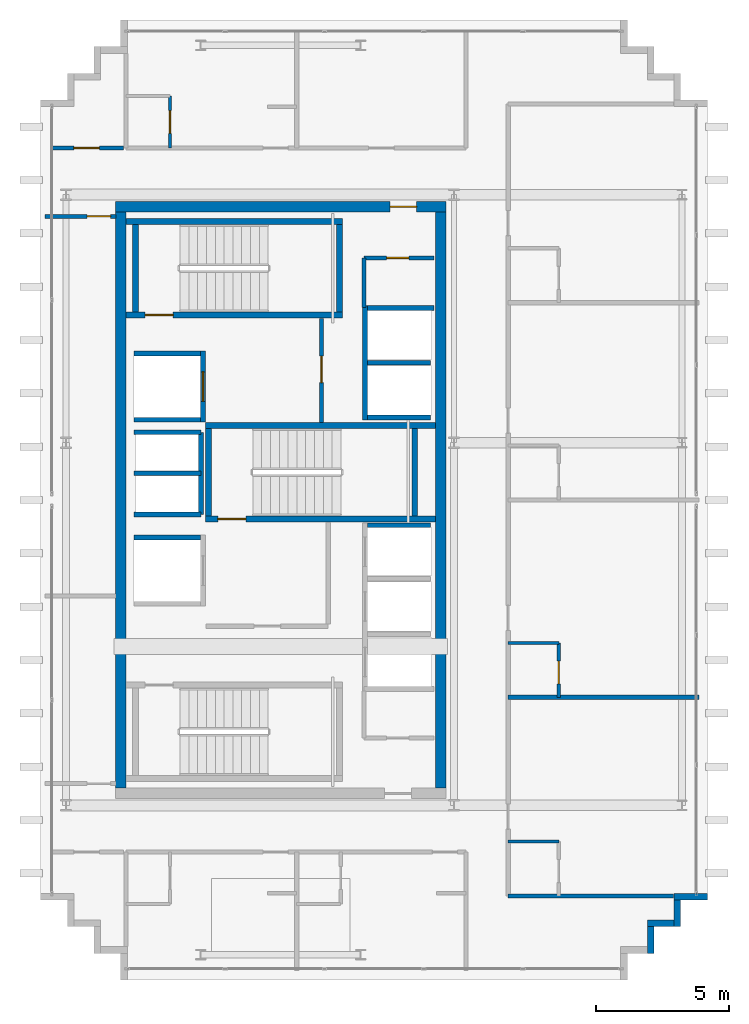
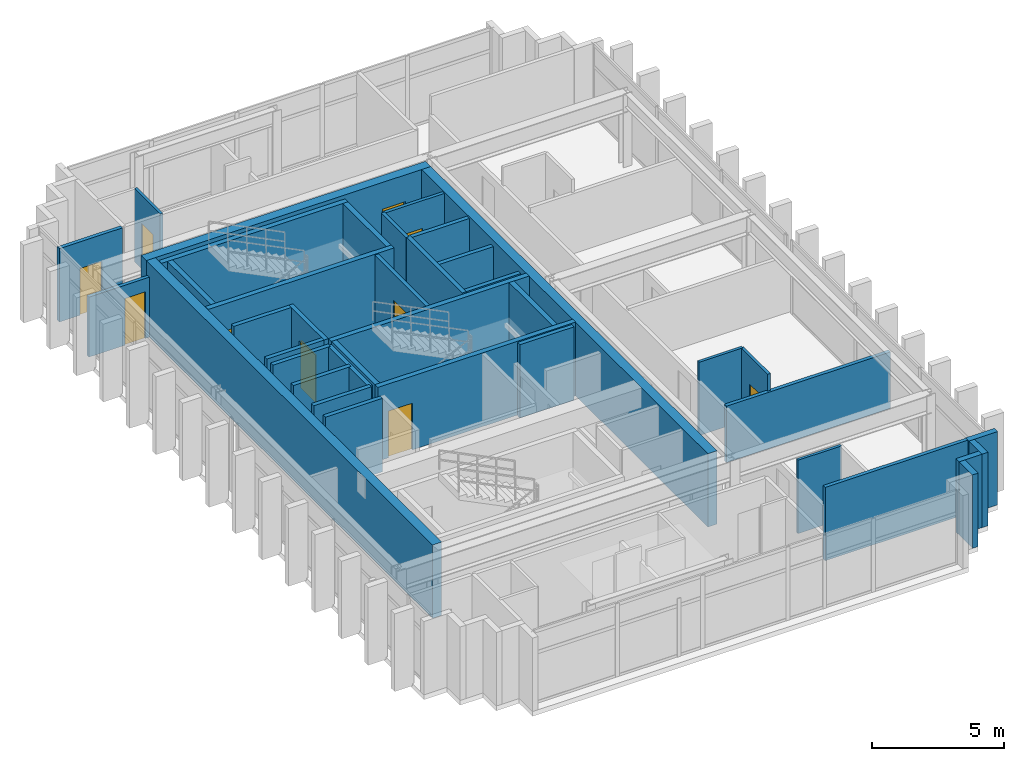
# One storey, part 13 of 15: 39 walls, 10 doors, 10 openings.
"""IFC4 building model written with IfcOpenShell, lengths in metres."""

from ifc_helpers import new_model, si_unit, direction, frame, frame_2d, origin, place, context, subcontext, project, spatial, rectangle, extrude, source, transform, mapped, material, layer, layer_set, type_object, element, fill, save


model = new_model("IFC4")

# Units and contexts
model_context = context("Model", 3, precision=1e-05, world=origin(), true_north=direction((0.0, 1.0)))
body_context = subcontext(model_context, "Body", "Model", "MODEL_VIEW")
ifc_project = project(units=[si_unit("LENGTHUNIT", "METRE"), si_unit("AREAUNIT", "SQUARE_METRE"), si_unit("VOLUMEUNIT", "CUBIC_METRE"), si_unit("PLANEANGLEUNIT", "RADIAN"), si_unit("MASSUNIT", "GRAM", prefix="KILO")], contexts=[model_context])

# Site, building, storey
site_placement = place(None, origin())
site = spatial("IfcSite", under=ifc_project, at=site_placement, CompositionType="ELEMENT")
building_placement = place(site_placement, origin())
building = spatial("IfcBuilding", under=site, at=building_placement, Name="Ocotamira Hotel", CompositionType="ELEMENT")
storey_placement = place(building_placement, frame((0.0, 0.0, 290.39990234375)))
storey = spatial("IfcBuildingStorey", under=building, at=storey_placement, Name="L74", CompositionType="ELEMENT", Elevation=290.39990234375)

# Wall, opening, door
ifc_material_1 = material(Name="Concrete C50/60", Category="concrete")
ifc_layer_1 = layer(ifc_material_1, 0.39990234375)
ifc_layer_set_1 = layer_set([ifc_layer_1], Name="Concrete C50/60")
wall_type_1 = type_object("IfcWallType", Name="WL-CORE-400", PredefinedType="SHEAR", material=ifc_layer_set_1)
wall_1_placement = place(storey_placement, frame((10.800048828125, 37.0, 0.0), z_axis=(0.0, 0.0, 1.0), x_axis=(1.0, 0.0, 0.0)))
wall_1 = element("IfcWall", 1, at=wall_1_placement, inside=storey, type_object=wall_type_1, Name="L74 Shear Core Wall WCORE-N", PredefinedType="SHEAR", context=body_context, shape_type="SweptSolid", body=[
    extrude(rectangle(XDim=12.39990234375, YDim=0.39990234375, at=frame_2d((6.199951171875, 0.0))), origin(), (0.0, 0.0, 1.0), 3.380126953125),
])
opening_1_placement = place(wall_1_placement, frame((10.300048828125, 0.0, 0.0)))
opening_1 = element("IfcOpeningElement", 2, at=opening_1_placement, cuts=wall_1, Name="Opening D-FR2", PredefinedType="OPENING", context=body_context, shape_type="SweptSolid", body=[
    extrude(rectangle(XDim=1.0, YDim=2.14990234375, at=frame_2d((0.5, 1.074951171875))), frame((0.0, 0.2099609375, 0.0), z_axis=(0.0, -1.0, 0.0), x_axis=(1.0, 0.0, 0.0)), (0.0, 0.0, 1.0), 0.419921875),
])
ifc_material_2 = material(Name="Fire-rated acoustic timber-veneer door", Category="wood")
door_type_1 = type_object("IfcDoorType", Name="DR-FIRE-1000", OperationType="NOTDEFINED", PredefinedType="DOOR", material=ifc_material_2)
shared_shape_1 = source(origin(), body_context, "Body", "SweptSolid", [
    extrude(rectangle(XDim=1.0, YDim=2.14990234375, at=frame_2d((0.5, 1.074951171875))), frame((0.0, 0.02490234375, 0.0), z_axis=(0.0, -1.0, 0.0), x_axis=(1.0, 0.0, 0.0)), (0.0, 0.0, 1.0), 0.050048828125),
])
door_1_placement = place(opening_1_placement, origin())
door_1 = element("IfcDoor", 3, at=door_1_placement, inside=storey, type_object=door_type_1, Name="L74 Door ID-L74-WLOB-N-D [ID-L74-WLOB-N-D]", OperationType="SINGLE_SWING_RIGHT", OverallHeight=2.14990234375, OverallWidth=1.0, PredefinedType="DOOR", context=body_context, shape_type="MappedRepresentation", body=[
    mapped(shared_shape_1, transform((0.0, 0.0, 0.0), scale=1.0)),
])
fill(opening_1, door_1)

# Walls
for number, where, z_axis, x_axis, name in (
    (4, (11.0, 15.199951171875, 0.0), (0.0, 0.0, 1.0), (0.0, 1.0, 0.0), "L74 Shear Core Wall WCORE-W"),
    (5, (23.0, 15.199951171875, 0.0), (0.0, 0.0, 1.0), (0.0, 1.0, 0.0), "L74 Shear Core Wall WCORE-E"),
):
    element("IfcWall", number, at=place(storey_placement, frame(where, z_axis=z_axis, x_axis=x_axis)), inside=storey, type_object=wall_type_1, Name=name, PredefinedType="SHEAR", context=body_context, shape_type="SweptSolid", body=[
        extrude(rectangle(XDim=21.60009765625, YDim=0.39990234375, at=frame_2d((10.800048828125, 0.0))), origin(), (0.0, 0.0, 1.0), 3.380126953125),
    ])
ifc_material_3 = material(Name="Precast concrete C45/55", Category="concrete")
ifc_layer_2 = layer(ifc_material_3, 0.25)
ifc_layer_set_2 = layer_set([ifc_layer_2], Name="Precast concrete C45/55")
wall_type_2 = type_object("IfcWallType", Name="WL-EXT-SER-250", PredefinedType="SOLIDWALL", material=ifc_layer_set_2)
for number, where, z_axis, x_axis, name in (
    (6, (30.875, 9.0, 0.0), (0.0, 0.0, 1.0), (0.0, 1.0, 0.0), "L74 Serrated Corner Wall 03"),
    (7, (30.75, 10.125, 0.0), (0.0, 0.0, 1.0), (1.0, 0.0, 0.0), "L74 Serrated Corner Wall 04"),
    (8, (31.875, 10.0, 0.0), (0.0, 0.0, 1.0), (0.0, 1.0, 0.0), "L74 Serrated Corner Wall 05"),
):
    element("IfcWall", number, at=place(storey_placement, frame(where, z_axis=z_axis, x_axis=x_axis)), inside=storey, type_object=wall_type_2, Name=name, PredefinedType="SOLIDWALL", context=body_context, shape_type="SweptSolid", body=[
        extrude(rectangle(XDim=1.0, YDim=0.25, at=frame_2d((0.5, 0.0))), origin(), (0.0, 0.0, 1.0), 3.380126953125),
    ])
wall_2_placement = place(storey_placement, frame((31.75, 11.125, 0.0), z_axis=(0.0, 0.0, 1.0), x_axis=(1.0, 0.0, 0.0)))
element("IfcWall", 9, at=wall_2_placement, inside=storey, type_object=wall_type_2, Name="L74 Serrated Corner Wall 06", PredefinedType="SOLIDWALL", context=body_context, shape_type="SweptSolid", body=[
    extrude(rectangle(XDim=1.25, YDim=0.25, at=frame_2d((0.625, 0.0))), origin(), (0.0, 0.0, 1.0), 3.380126953125),
])

# Wall, opening, door
ifc_material_4 = material(Name="Acoustic double-layer fire gypsum board partition", Category="gypsum")
ifc_layer_3 = layer(ifc_material_4, 0.159912109375)
ifc_layer_set_3 = layer_set([ifc_layer_3], Name="Acoustic double-layer fire gypsum board partition")
wall_type_3 = type_object("IfcWallType", Name="WL-FIRE-160", PredefinedType="PARTITIONING", material=ifc_layer_set_3)
wall_3_placement = place(storey_placement, frame((18.530029296875, 28.89990234375, 0.0), z_axis=(0.0, 0.0, 1.0), x_axis=(0.0, 1.0, 0.0)))
wall_3 = element("IfcWall", 10, at=wall_3_placement, inside=storey, type_object=wall_type_3, Name="L74 Interior Wall PW-L74-FSAE2-E", PredefinedType="PARTITIONING", context=body_context, shape_type="SweptSolid", body=[
    extrude(rectangle(XDim=3.900146484375, YDim=0.159912109375, at=frame_2d((1.9501953125, 0.0))), origin(), (0.0, 0.0, 1.0), 3.380126953125),
])
opening_2_placement = place(wall_3_placement, frame((1.5, 0.0, 0.0)))
opening_2 = element("IfcOpeningElement", 11, at=opening_2_placement, cuts=wall_3, Name="Opening D-FR2", PredefinedType="OPENING", context=body_context, shape_type="SweptSolid", body=[
    extrude(rectangle(XDim=1.0, YDim=2.14990234375, at=frame_2d((0.5, 1.074951171875))), frame((0.0, 0.08984375, 0.0), z_axis=(0.0, -1.0, 0.0), x_axis=(1.0, 0.0, 0.0)), (0.0, 0.0, 1.0), 0.179931640625),
])
door_2_placement = place(opening_2_placement, origin())
door_2 = element("IfcDoor", 12, at=door_2_placement, inside=storey, type_object=door_type_1, Name="L74 Door ID-L74-FSAE2-D [ID-L74-FSAE2-D]", OperationType="SINGLE_SWING_RIGHT", OverallHeight=2.14990234375, OverallWidth=1.0, PredefinedType="DOOR", context=body_context, shape_type="MappedRepresentation", body=[
    mapped(shared_shape_1, transform((0.0, 0.0, 0.0), scale=1.0)),
])
fill(opening_2, door_2)

wall_4_placement = place(storey_placement, frame((8.35009765625, 39.199951171875, 0.0), z_axis=(0.0, 0.0, 1.0), x_axis=(1.0, 0.0, 0.0)))
wall_4 = element("IfcWall", 13, at=wall_4_placement, inside=storey, type_object=wall_type_3, Name="L74 Interior Wall PW-L74-WPCNW1-CW", PredefinedType="PARTITIONING", context=body_context, shape_type="SweptSolid", body=[
    extrude(rectangle(XDim=2.75, YDim=0.159912109375, at=frame_2d((1.375, 0.0))), origin(), (0.0, 0.0, 1.0), 3.380126953125),
])
opening_3_placement = place(wall_4_placement, frame((0.89501953125, 0.0, 0.0)))
opening_3 = element("IfcOpeningElement", 14, at=opening_3_placement, cuts=wall_4, Name="Opening D-SV4", PredefinedType="OPENING", context=body_context, shape_type="SweptSolid", body=[
    extrude(rectangle(XDim=0.9599609375, YDim=2.14990234375, at=frame_2d((0.47998046875, 1.074951171875))), frame((0.0, 0.08984375, 0.0), z_axis=(0.0, -1.0, 0.0), x_axis=(1.0, 0.0, 0.0)), (0.0, 0.0, 1.0), 0.179931640625),
])
ifc_material_5 = material(Name="Fire-rated accessible walnut salon door", Category="wood")
door_type_2 = type_object("IfcDoorType", Name="DR-SERV-960", OperationType="NOTDEFINED", PredefinedType="DOOR", material=ifc_material_5)
shared_shape_2 = source(origin(), body_context, "Body", "SweptSolid", [
    extrude(rectangle(XDim=0.9599609375, YDim=2.14990234375, at=frame_2d((0.47998046875, 1.074951171875))), frame((0.0, 0.02490234375, 0.0), z_axis=(0.0, -1.0, 0.0), x_axis=(1.0, 0.0, 0.0)), (0.0, 0.0, 1.0), 0.050048828125),
])
door_3_placement = place(opening_3_placement, origin())
door_3 = element("IfcDoor", 15, at=door_3_placement, inside=storey, type_object=door_type_2, Name="L74 Door ID-L74-WPCNW1-CD [ID-L74-WPCNW1-CD]", OperationType="SINGLE_SWING_LEFT", OverallHeight=2.14990234375, OverallWidth=0.9599609375, PredefinedType="DOOR", context=body_context, shape_type="MappedRepresentation", body=[
    mapped(shared_shape_2, transform((0.0, 0.0, 0.0), scale=1.0)),
])
fill(opening_3, door_3)

ifc_material_6 = material(Name="Moisture-resistant en-suite tile and gypsum partition", Category="gypsum")
ifc_layer_4 = layer(ifc_material_6, 0.1201171875)
ifc_layer_set_4 = layer_set([ifc_layer_4], Name="Moisture-resistant en-suite tile and gypsum partition")
wall_type_4 = type_object("IfcWallType", Name="WL-PART-120", PredefinedType="PARTITIONING", material=ifc_layer_set_4)
wall_5_placement = place(storey_placement, frame((12.85009765625, 39.199951171875, 0.0), z_axis=(0.0, 0.0, 1.0), x_axis=(0.0, 1.0, 0.0)))
wall_5 = element("IfcWall", 16, at=wall_5_placement, inside=storey, type_object=wall_type_4, Name="L74 Interior Wall PW-L74-WP1N-BAE1", PredefinedType="PARTITIONING", context=body_context, shape_type="SweptSolid", body=[
    extrude(rectangle(XDim=1.949951171875, YDim=0.1201171875, at=frame_2d((0.97509765625, 0.0))), origin(), (0.0, 0.0, 1.0), 3.380126953125),
])
opening_4_placement = place(wall_5_placement, frame((0.544921875, 0.0, 0.0)))
opening_4 = element("IfcOpeningElement", 17, at=opening_4_placement, cuts=wall_5, Name="Opening D-BA1", PredefinedType="OPENING", context=body_context, shape_type="SweptSolid", body=[
    extrude(rectangle(XDim=0.860107421875, YDim=2.10009765625, at=frame_2d((0.43017578125, 1.050048828125))), frame((0.0, 0.070068359375, 0.0), z_axis=(0.0, -1.0, 0.0), x_axis=(1.0, 0.0, 0.0)), (0.0, 0.0, 1.0), 0.14013671875),
])
ifc_material_7 = material(Name="Moisture-sealed en-suite timber door", Category="wood")
door_type_3 = type_object("IfcDoorType", Name="DR-BATH-860", OperationType="NOTDEFINED", PredefinedType="DOOR", material=ifc_material_7)
shared_shape_3 = source(origin(), body_context, "Body", "SweptSolid", [
    extrude(rectangle(XDim=0.860107421875, YDim=2.10009765625, at=frame_2d((0.43017578125, 1.050048828125))), frame((0.0, 0.02490234375, 0.0), z_axis=(0.0, -1.0, 0.0), x_axis=(1.0, 0.0, 0.0)), (0.0, 0.0, 1.0), 0.050048828125),
])
door_4_placement = place(opening_4_placement, origin())
door_4 = element("IfcDoor", 18, at=door_4_placement, inside=storey, type_object=door_type_3, Name="L74 Door ID-L74-WP1N-BAD1 [ID-L74-WP1N-BAD1]", OperationType="SINGLE_SWING_RIGHT", OverallHeight=2.10009765625, OverallWidth=0.860107421875, PredefinedType="DOOR", context=body_context, shape_type="MappedRepresentation", body=[
    mapped(shared_shape_3, transform((0.0, 0.0, 0.0), scale=1.0)),
])
fill(opening_4, door_4)

# Wall
wall_6_placement = place(storey_placement, frame((25.530029296875, 13.18994140625, 0.0), z_axis=(0.0, 0.0, 1.0), x_axis=(1.0, 0.0, 0.0)))
element("IfcWall", 19, at=wall_6_placement, inside=storey, type_object=wall_type_4, Name="L74 Interior Wall PW-L74-WP-EBN1", PredefinedType="PARTITIONING", context=body_context, shape_type="SweptSolid", body=[
    extrude(rectangle(XDim=1.89990234375, YDim=0.1201171875, at=frame_2d((0.949951171875, 0.0))), origin(), (0.0, 0.0, 1.0), 3.380126953125),
])

# Wall, opening, door
wall_7_placement = place(storey_placement, frame((27.429931640625, 18.60009765625, 0.0), z_axis=(0.0, 0.0, 1.0), x_axis=(0.0, 1.0, 0.0)))
wall_7 = element("IfcWall", 20, at=wall_7_placement, inside=storey, type_object=wall_type_4, Name="L74 Interior Wall PW-L74-WP-EBE2", PredefinedType="PARTITIONING", context=body_context, shape_type="SweptSolid", body=[
    extrude(rectangle(XDim=2.039794921875, YDim=0.1201171875, at=frame_2d((1.02001953125, 0.0))), origin(), (0.0, 0.0, 1.0), 3.380126953125),
])
opening_5_placement = place(wall_7_placement, frame((0.5, 0.0, 0.0)))
opening_5 = element("IfcOpeningElement", 21, at=opening_5_placement, cuts=wall_7, Name="Opening D-BA1", PredefinedType="OPENING", context=body_context, shape_type="SweptSolid", body=[
    extrude(rectangle(XDim=0.860107421875, YDim=2.10009765625, at=frame_2d((0.43017578125, 1.050048828125))), frame((0.0, 0.070068359375, 0.0), z_axis=(0.0, -1.0, 0.0), x_axis=(1.0, 0.0, 0.0)), (0.0, 0.0, 1.0), 0.14013671875),
])
door_5_placement = place(opening_5_placement, origin())
door_5 = element("IfcDoor", 22, at=door_5_placement, inside=storey, type_object=door_type_3, Name="L74 Door ID-L74-WP-EBD2 [ID-L74-WP-EBD2]", OperationType="SINGLE_SWING_LEFT", OverallHeight=2.10009765625, OverallWidth=0.860107421875, PredefinedType="DOOR", context=body_context, shape_type="MappedRepresentation", body=[
    mapped(shared_shape_3, transform((0.0, 0.0, 0.0), scale=1.0)),
])
fill(opening_5, door_5)

# Walls
wall_8_placement = place(storey_placement, frame((25.530029296875, 20.639892578125, 0.0), z_axis=(0.0, 0.0, 1.0), x_axis=(1.0, 0.0, 0.0)))
element("IfcWall", 23, at=wall_8_placement, inside=storey, type_object=wall_type_4, Name="L74 Interior Wall PW-L74-WP-EBN2", PredefinedType="PARTITIONING", context=body_context, shape_type="SweptSolid", body=[
    extrude(rectangle(XDim=1.89990234375, YDim=0.1201171875, at=frame_2d((0.949951171875, 0.0))), origin(), (0.0, 0.0, 1.0), 3.380126953125),
])
ifc_material_8 = material(Name="Acoustic hospitality gypsum board partition", Category="gypsum")
ifc_layer_5 = layer(ifc_material_8, 0.14208984375)
ifc_layer_set_5 = layer_set([ifc_layer_5], Name="Acoustic hospitality gypsum board partition")
wall_type_5 = type_object("IfcWallType", Name="WL-PART-142", PredefinedType="PARTITIONING", material=ifc_layer_set_5)
wall_9_placement = place(storey_placement, frame((20.1201171875, 33.219970703125, 0.0), z_axis=(0.0, 0.0, 1.0), x_axis=(0.0, 1.0, 0.0)))
element("IfcWall", 24, at=wall_9_placement, inside=storey, type_object=wall_type_5, Name="L74 Interior Wall PW-L74-WC-NE-W2", PredefinedType="PARTITIONING", context=body_context, shape_type="SweptSolid", body=[
    extrude(rectangle(XDim=1.860107421875, YDim=0.14208984375, at=frame_2d((0.93017578125, 0.0))), origin(), (0.0, 0.0, 1.0), 3.380126953125),
])

# Wall, opening, door
wall_10_placement = place(storey_placement, frame((20.1201171875, 35.080078125, 0.0), z_axis=(0.0, 0.0, 1.0), x_axis=(1.0, 0.0, 0.0)))
wall_10 = element("IfcWall", 25, at=wall_10_placement, inside=storey, type_object=wall_type_5, Name="L74 Interior Wall PW-L74-WC-NE-N2", PredefinedType="PARTITIONING", context=body_context, shape_type="SweptSolid", body=[
    extrude(rectangle(XDim=2.6298828125, YDim=0.14208984375, at=frame_2d((1.31494140625, 0.0))), origin(), (0.0, 0.0, 1.0), 3.380126953125),
])
opening_6_placement = place(wall_10_placement, frame((0.85009765625, 0.0, 0.0)))
opening_6 = element("IfcOpeningElement", 26, at=opening_6_placement, cuts=wall_10, Name="Opening D-SV1", PredefinedType="OPENING", context=body_context, shape_type="SweptSolid", body=[
    extrude(rectangle(XDim=0.840087890625, YDim=2.10009765625, at=frame_2d((0.419921875, 1.050048828125))), frame((0.0, 0.0810546875, 0.0), z_axis=(0.0, -1.0, 0.0), x_axis=(1.0, 0.0, 0.0)), (0.0, 0.0, 1.0), 0.162109375),
])
ifc_material_9 = material(Name="Fire-rated painted steel service door", Category="steel")
door_type_4 = type_object("IfcDoorType", Name="DR-SERV-840", OperationType="NOTDEFINED", PredefinedType="DOOR", material=ifc_material_9)
shared_shape_4 = source(origin(), body_context, "Body", "SweptSolid", [
    extrude(rectangle(XDim=0.840087890625, YDim=2.10009765625, at=frame_2d((0.419921875, 1.050048828125))), frame((0.0, 0.02490234375, 0.0), z_axis=(0.0, -1.0, 0.0), x_axis=(1.0, 0.0, 0.0)), (0.0, 0.0, 1.0), 0.050048828125),
])
door_6_placement = place(opening_6_placement, origin())
door_6 = element("IfcDoor", 27, at=door_6_placement, inside=storey, type_object=door_type_4, Name="L74 Door ID-L74-WC-NE-D2 [ID-L74-WC-NE-D2]", OperationType="SINGLE_SWING_RIGHT", OverallHeight=2.10009765625, OverallWidth=0.840087890625, PredefinedType="DOOR", context=body_context, shape_type="MappedRepresentation", body=[
    mapped(shared_shape_4, transform((0.0, 0.0, 0.0), scale=1.0)),
])
fill(opening_6, door_6)

ifc_layer_6 = layer(ifc_material_8, 0.14990234375)
ifc_layer_set_6 = layer_set([ifc_layer_6], Name="Acoustic hospitality gypsum board partition")
wall_type_6 = type_object("IfcWallType", Name="WL-PART-150", PredefinedType="PARTITIONING", material=ifc_layer_set_6)
wall_11_placement = place(storey_placement, frame((8.159912109375, 36.639892578125, 0.0), z_axis=(0.0, 0.0, 1.0), x_axis=(1.0, 0.0, 0.0)))
wall_11 = element("IfcWall", 28, at=wall_11_placement, inside=storey, type_object=wall_type_6, Name="L74 Interior Wall PW-L74-WP1W-WN", PredefinedType="PARTITIONING", context=body_context, shape_type="SweptSolid", body=[
    extrude(rectangle(XDim=2.66015625, YDim=0.14990234375, at=frame_2d((1.330078125, 0.0))), origin(), (0.0, 0.0, 1.0), 2.76318359375),
])
opening_7_placement = place(wall_11_placement, frame((1.580078125, 0.0, 0.0)))
opening_7 = element("IfcOpeningElement", 29, at=opening_7_placement, cuts=wall_11, Name="Opening D-SV2", PredefinedType="OPENING", context=body_context, shape_type="SweptSolid", body=[
    extrude(rectangle(XDim=0.8798828125, YDim=2.14990234375, at=frame_2d((0.43994140625, 1.074951171875))), frame((0.0, 0.0849609375, 0.0), z_axis=(0.0, -1.0, 0.0), x_axis=(1.0, 0.0, 0.0)), (0.0, 0.0, 1.0), 0.169921875),
])
door_type_5 = type_object("IfcDoorType", Name="DR-SERV-880", OperationType="NOTDEFINED", PredefinedType="DOOR", material=ifc_material_9)
shared_shape_5 = source(origin(), body_context, "Body", "SweptSolid", [
    extrude(rectangle(XDim=0.8798828125, YDim=2.14990234375, at=frame_2d((0.43994140625, 1.074951171875))), frame((0.0, 0.02490234375, 0.0), z_axis=(0.0, -1.0, 0.0), x_axis=(1.0, 0.0, 0.0)), (0.0, 0.0, 1.0), 0.050048828125),
])
door_7_placement = place(opening_7_placement, origin())
door_7 = element("IfcDoor", 30, at=door_7_placement, inside=storey, type_object=door_type_5, Name="L74 Door ID-L74-WP1W-DN [ID-L74-WP1W-DN]", OperationType="SINGLE_SWING_RIGHT", OverallHeight=2.14990234375, OverallWidth=0.8798828125, PredefinedType="DOOR", context=body_context, shape_type="MappedRepresentation", body=[
    mapped(shared_shape_5, transform((0.0, 0.0, 0.0), scale=1.0)),
])
fill(opening_7, door_7)

# Walls
ifc_material_10 = material(Name="Acoustic double-stud hospitality gypsum partition", Category="gypsum")
ifc_layer_7 = layer(ifc_material_10, 0.159912109375)
ifc_layer_set_7 = layer_set([ifc_layer_7], Name="Acoustic double-stud hospitality gypsum partition")
wall_type_7 = type_object("IfcWallType", Name="WL-PART-160", PredefinedType="PARTITIONING", material=ifc_layer_set_7)
wall_12_placement = place(storey_placement, frame((25.530029296875, 11.14990234375, 0.0), z_axis=(0.0, 0.0, 1.0), x_axis=(1.0, 0.0, 0.0)))
element("IfcWall", 31, at=wall_12_placement, inside=storey, type_object=wall_type_7, Name="L74 Interior Wall PW-L74-WP-EDIV0", PredefinedType="PARTITIONING", context=body_context, shape_type="SweptSolid", body=[
    extrude(rectangle(XDim=6.2099609375, YDim=0.159912109375, at=frame_2d((3.10498046875, 0.0))), origin(), (0.0, 0.0, 1.0), 3.380126953125),
])
wall_13_placement = place(storey_placement, frame((25.530029296875, 18.60009765625, 0.0), z_axis=(0.0, 0.0, 1.0), x_axis=(1.0, 0.0, 0.0)))
element("IfcWall", 32, at=wall_13_placement, inside=storey, type_object=wall_type_7, Name="L74 Interior Wall PW-L74-WP-EDIV1", PredefinedType="PARTITIONING", context=body_context, shape_type="SweptSolid", body=[
    extrude(rectangle(XDim=7.14990234375, YDim=0.159912109375, at=frame_2d((3.574951171875, 0.0))), origin(), (0.0, 0.0, 1.0), 2.60107421875),
])
ifc_material_11 = material(Name="Fire-rated gypsum shaftliner board assembly", Category="gypsum")
ifc_layer_8 = layer(ifc_material_11, 0.179931640625)
ifc_layer_set_8 = layer_set([ifc_layer_8], Name="Fire-rated gypsum shaftliner board assembly")
wall_type_8 = type_object("IfcWallType", Name="WL-SHAFT-180", PredefinedType="SOLIDWALL", material=ifc_layer_set_8)
wall_14_placement = place(storey_placement, frame((20.25, 25.050048828125, 0.0), z_axis=(0.0, 0.0, 1.0), x_axis=(1.0, 0.0, 0.0)))
element("IfcWall", 33, at=wall_14_placement, inside=storey, type_object=wall_type_8, Name="L74 Interior Wall PW-L74-LFW-BANK-high-N", PredefinedType="SOLIDWALL", context=body_context, shape_type="SweptSolid", body=[
    extrude(rectangle(XDim=2.360107421875, YDim=0.179931640625, at=frame_2d((1.18017578125, 0.0))), origin(), (0.0, 0.0, 1.0), 3.380126953125),
])
wall_15_placement = place(storey_placement, frame((20.159912109375, 29.0, 0.0), z_axis=(0.0, 0.0, 1.0), x_axis=(0.0, 1.0, 0.0)))
element("IfcWall", 34, at=wall_15_placement, inside=storey, type_object=wall_type_8, Name="L74 Interior Wall PW-L74-LFW-BANK-obs-F", PredefinedType="SOLIDWALL", context=body_context, shape_type="SweptSolid", body=[
    extrude(rectangle(XDim=4.2900390625, YDim=0.179931640625, at=frame_2d((2.14501953125, 0.0))), origin(), (0.0, 0.0, 1.0), 3.380126953125),
])
wall_16_placement = place(storey_placement, frame((20.25, 29.090087890625, 0.0), z_axis=(0.0, 0.0, 1.0), x_axis=(1.0, 0.0, 0.0)))
element("IfcWall", 35, at=wall_16_placement, inside=storey, type_object=wall_type_8, Name="L74 Interior Wall PW-L74-LFW-BANK-obs-S", PredefinedType="SOLIDWALL", context=body_context, shape_type="SweptSolid", body=[
    extrude(rectangle(XDim=2.360107421875, YDim=0.179931640625, at=frame_2d((1.18017578125, 0.0))), origin(), (0.0, 0.0, 1.0), 3.380126953125),
])
wall_17_placement = place(storey_placement, frame((20.25, 33.199951171875, 0.0), z_axis=(0.0, 0.0, 1.0), x_axis=(1.0, 0.0, 0.0)))
element("IfcWall", 36, at=wall_17_placement, inside=storey, type_object=wall_type_8, Name="L74 Interior Wall PW-L74-LFW-BANK-obs-N", PredefinedType="SOLIDWALL", context=body_context, shape_type="SweptSolid", body=[
    extrude(rectangle(XDim=2.5, YDim=0.179931640625, at=frame_2d((1.25, 0.0))), origin(), (0.0, 0.0, 1.0), 3.380126953125),
])
wall_18_placement = place(storey_placement, frame((20.25, 31.14501953125, 0.0), z_axis=(0.0, 0.0, 1.0), x_axis=(1.0, 0.0, 0.0)))
element("IfcWall", 37, at=wall_18_placement, inside=storey, type_object=wall_type_8, Name="L74 Interior Wall PW-L74-LFW-DIV-LF-OBS1", PredefinedType="SOLIDWALL", context=body_context, shape_type="SweptSolid", body=[
    extrude(rectangle(XDim=2.360107421875, YDim=0.179931640625, at=frame_2d((1.18017578125, 0.0))), origin(), (0.0, 0.0, 1.0), 3.380126953125),
])
for number, where, z_axis, x_axis, name in (
    (38, (11.5, 24.590087890625, 0.0), (0.0, 0.0, 1.0), (1.0, 0.0, 0.0), "L74 Interior Wall PW-L74-LFW-LF-FSAE1-N"),
    (39, (11.5, 29.010009765625, 0.0), (0.0, 0.0, 1.0), (1.0, 0.0, 0.0), "L74 Interior Wall PW-L74-LFW-LF-FSAE2-S"),
    (40, (11.5, 31.489990234375, 0.0), (0.0, 0.0, 1.0), (1.0, 0.0, 0.0), "L74 Interior Wall PW-L74-LFW-LF-FSAE2-N"),
):
    element("IfcWall", number, at=place(storey_placement, frame(where, z_axis=z_axis, x_axis=x_axis)), inside=storey, type_object=wall_type_8, Name=name, PredefinedType="SOLIDWALL", context=body_context, shape_type="SweptSolid", body=[
        extrude(rectangle(XDim=2.5, YDim=0.179931640625, at=frame_2d((1.25, 0.0))), origin(), (0.0, 0.0, 1.0), 3.380126953125),
    ])

# Wall, opening, door
wall_19_placement = place(storey_placement, frame((14.090087890625, 28.919921875, 0.0), z_axis=(0.0, 0.0, 1.0), x_axis=(0.0, 1.0, 0.0)))
wall_19 = element("IfcWall", 41, at=wall_19_placement, inside=storey, type_object=wall_type_8, Name="L74 Interior Wall PW-L74-LFW-LF-FSAE2-E", PredefinedType="SOLIDWALL", context=body_context, shape_type="SweptSolid", body=[
    extrude(rectangle(XDim=2.66015625, YDim=0.179931640625, at=frame_2d((1.330078125, 0.0))), origin(), (0.0, 0.0, 1.0), 3.380126953125),
])
opening_8_placement = place(wall_19_placement, frame((0.780029296875, 0.0, 0.0)))
opening_8 = element("IfcOpeningElement", 42, at=opening_8_placement, cuts=wall_19, Name="Opening LD-LF-FSAE2", PredefinedType="OPENING", context=body_context, shape_type="SweptSolid", body=[
    extrude(rectangle(XDim=1.10009765625, YDim=2.199951171875, at=frame_2d((0.550048828125, 1.10009765625))), frame((0.0, 0.10009765625, 0.0), z_axis=(0.0, -1.0, 0.0), x_axis=(1.0, 0.0, 0.0)), (0.0, 0.0, 1.0), 0.199951171875),
])
ifc_material_12 = material(Name="Brushed pale-metal stainless elevator landing door", Category="steel")
door_type_6 = type_object("IfcDoorType", Name="DR-LIFT-1100", OperationType="NOTDEFINED", PredefinedType="DOOR", material=ifc_material_12)
shared_shape_6 = source(origin(), body_context, "Body", "SweptSolid", [
    extrude(rectangle(XDim=1.10009765625, YDim=2.199951171875, at=frame_2d((0.550048828125, 1.10009765625))), frame((0.0, 0.02490234375, 0.0), z_axis=(0.0, -1.0, 0.0), x_axis=(1.0, 0.0, 0.0)), (0.0, 0.0, 1.0), 0.050048828125),
])
door_8_placement = place(opening_8_placement, origin())
door_8 = element("IfcDoor", 43, at=door_8_placement, inside=storey, type_object=door_type_6, Name="L74 Landing Door LD-LF-FSAE2 [ID-L74-LD-LF-FSAE2]", OperationType="DOUBLE_DOOR_SLIDING", OverallHeight=2.199951171875, OverallWidth=1.10009765625, PredefinedType="DOOR", context=body_context, shape_type="MappedRepresentation", body=[
    mapped(shared_shape_6, transform((0.0, 0.0, 0.0), scale=1.0)),
])
fill(opening_8, door_8)

# Walls
for number, where, z_axis, x_axis, name in (
    (44, (11.5, 25.4599609375, 0.0), (0.0, 0.0, 1.0), (1.0, 0.0, 0.0), "L74 Interior Wall PW-L74-RSW-S"),
    (45, (11.5, 27.0, 0.0), (0.0, 0.0, 1.0), (1.0, 0.0, 0.0), "L74 Interior Wall PW-L74-RSW-MID"),
    (46, (11.5, 28.5400390625, 0.0), (0.0, 0.0, 1.0), (1.0, 0.0, 0.0), "L74 Interior Wall PW-L74-RSW-N"),
):
    element("IfcWall", number, at=place(storey_placement, frame(where, z_axis=z_axis, x_axis=x_axis)), inside=storey, type_object=wall_type_8, Name=name, PredefinedType="SOLIDWALL", context=body_context, shape_type="SweptSolid", body=[
        extrude(rectangle(XDim=2.510009765625, YDim=0.179931640625, at=frame_2d((1.2548828125, 0.0))), origin(), (0.0, 0.0, 1.0), 3.380126953125),
    ])
wall_20_placement = place(storey_placement, frame((14.010009765625, 25.4599609375, 0.0), z_axis=(0.0, 0.0, 1.0), x_axis=(0.0, 1.0, 0.0)))
element("IfcWall", 47, at=wall_20_placement, inside=storey, type_object=wall_type_8, Name="L74 Interior Wall PW-L74-RSW-E", PredefinedType="SOLIDWALL", context=body_context, shape_type="SweptSolid", body=[
    extrude(rectangle(XDim=3.080078125, YDim=0.179931640625, at=frame_2d((1.5400390625, 0.0))), origin(), (0.0, 0.0, 1.0), 3.380126953125),
])

# Wall, opening, door
ifc_layer_9 = layer(ifc_material_1, 0.219970703125)
ifc_layer_set_9 = layer_set([ifc_layer_9], Name="Concrete C50/60")
wall_type_9 = type_object("IfcWallType", Name="WL-STAIR-220", PredefinedType="SHEAR", material=ifc_layer_set_9)
wall_21_placement = place(storey_placement, frame((11.199951171875, 32.93994140625, 0.0), z_axis=(0.0, 0.0, 1.0), x_axis=(1.0, 0.0, 0.0)))
wall_21 = element("IfcWall", 48, at=wall_21_placement, inside=storey, type_object=wall_type_9, Name="L74 Stair Shaft Structural Wall ST-2-S", PredefinedType="SHEAR", context=body_context, shape_type="SweptSolid", body=[
    extrude(rectangle(XDim=8.110107421875, YDim=0.219970703125, at=frame_2d((4.05517578125, 0.0))), origin(), (0.0, 0.0, 1.0), 3.400146484375),
])
opening_9_placement = place(wall_21_placement, frame((0.719970703125, 0.0, 0.0)))
opening_9 = element("IfcOpeningElement", 49, at=opening_9_placement, cuts=wall_21, Name="Opening D-ST2", PredefinedType="OPENING", context=body_context, shape_type="SweptSolid", body=[
    extrude(rectangle(XDim=1.050048828125, YDim=2.14990234375, at=frame_2d((0.52490234375, 1.074951171875))), frame((0.0, 0.1201171875, 0.0), z_axis=(0.0, -1.0, 0.0), x_axis=(1.0, 0.0, 0.0)), (0.0, 0.0, 1.0), 0.239990234375),
])
ifc_material_13 = material(Name="Insulated painted hollow-metal fire exit door", Category="steel")
door_type_7 = type_object("IfcDoorType", Name="DR-STAIR-1050", OperationType="NOTDEFINED", PredefinedType="DOOR", material=ifc_material_13)
shared_shape_7 = source(origin(), body_context, "Body", "SweptSolid", [
    extrude(rectangle(XDim=1.050048828125, YDim=2.14990234375, at=frame_2d((0.52490234375, 1.074951171875))), frame((0.0, 0.02490234375, 0.0), z_axis=(0.0, -1.0, 0.0), x_axis=(1.0, 0.0, 0.0)), (0.0, 0.0, 1.0), 0.050048828125),
])
door_9_placement = place(opening_9_placement, origin())
door_9 = element("IfcDoor", 50, at=door_9_placement, inside=storey, type_object=door_type_7, Name="L74 Door ID-L74-STD-ST-2 [ID-L74-STD-ST-2]", OperationType="SINGLE_SWING_RIGHT", OverallHeight=2.14990234375, OverallWidth=1.050048828125, PredefinedType="DOOR", context=body_context, shape_type="MappedRepresentation", body=[
    mapped(shared_shape_7, transform((0.0, 0.0, 0.0), scale=1.0)),
])
fill(opening_9, door_9)

# Walls
wall_22_placement = place(storey_placement, frame((11.199951171875, 36.43994140625, 0.0), z_axis=(0.0, 0.0, 1.0), x_axis=(1.0, 0.0, 0.0)))
element("IfcWall", 51, at=wall_22_placement, inside=storey, type_object=wall_type_9, Name="L74 Stair Shaft Structural Wall ST-2-N", PredefinedType="SHEAR", context=body_context, shape_type="SweptSolid", body=[
    extrude(rectangle(XDim=8.110107421875, YDim=0.219970703125, at=frame_2d((4.05517578125, 0.0))), origin(), (0.0, 0.0, 1.0), 3.400146484375),
])
for number, where, z_axis, x_axis, name in (
    (52, (11.56005859375, 33.050048828125, 0.0), (0.0, 0.0, 1.0), (0.0, 1.0, 0.0), "L74 Stair Shaft Structural Wall ST-2-W"),
    (53, (19.199951171875, 33.050048828125, 0.0), (0.0, 0.0, 1.0), (0.0, 1.0, 0.0), "L74 Stair Shaft Structural Wall ST-2-E"),
):
    element("IfcWall", number, at=place(storey_placement, frame(where, z_axis=z_axis, x_axis=x_axis)), inside=storey, type_object=wall_type_9, Name=name, PredefinedType="SHEAR", context=body_context, shape_type="SweptSolid", body=[
        extrude(rectangle(XDim=3.280029296875, YDim=0.219970703125, at=frame_2d((1.64013671875, 0.0))), origin(), (0.0, 0.0, 1.0), 3.400146484375),
    ])

# Wall, opening, door
wall_23_placement = place(storey_placement, frame((14.179931640625, 25.2900390625, 0.0), z_axis=(0.0, 0.0, 1.0), x_axis=(1.0, 0.0, 0.0)))
wall_23 = element("IfcWall", 54, at=wall_23_placement, inside=storey, type_object=wall_type_9, Name="L74 Stair Shaft Structural Wall ST-3-S", PredefinedType="SHEAR", context=body_context, shape_type="SweptSolid", body=[
    extrude(rectangle(XDim=8.6201171875, YDim=0.219970703125, at=frame_2d((4.31005859375, 0.0))), origin(), (0.0, 0.0, 1.0), 3.400146484375),
])
opening_10_placement = place(wall_23_placement, frame((0.469970703125, 0.0, 0.0)))
opening_10 = element("IfcOpeningElement", 55, at=opening_10_placement, cuts=wall_23, Name="Opening D-ST2", PredefinedType="OPENING", context=body_context, shape_type="SweptSolid", body=[
    extrude(rectangle(XDim=1.050048828125, YDim=2.14990234375, at=frame_2d((0.52490234375, 1.074951171875))), frame((0.0, 0.1201171875, 0.0), z_axis=(0.0, -1.0, 0.0), x_axis=(1.0, 0.0, 0.0)), (0.0, 0.0, 1.0), 0.239990234375),
])
door_10_placement = place(opening_10_placement, origin())
door_10 = element("IfcDoor", 56, at=door_10_placement, inside=storey, type_object=door_type_7, Name="L74 Door ID-L74-STD-ST-3 [ID-L74-STD-ST-3]", OperationType="SINGLE_SWING_LEFT", OverallHeight=2.14990234375, OverallWidth=1.050048828125, PredefinedType="DOOR", context=body_context, shape_type="MappedRepresentation", body=[
    mapped(shared_shape_7, transform((0.0, 0.0, 0.0), scale=1.0)),
])
fill(opening_10, door_10)

# Walls
wall_24_placement = place(storey_placement, frame((14.179931640625, 28.7900390625, 0.0), z_axis=(0.0, 0.0, 1.0), x_axis=(1.0, 0.0, 0.0)))
element("IfcWall", 57, at=wall_24_placement, inside=storey, type_object=wall_type_9, Name="L74 Stair Shaft Structural Wall ST-3-N", PredefinedType="SHEAR", context=body_context, shape_type="SweptSolid", body=[
    extrude(rectangle(XDim=8.6201171875, YDim=0.219970703125, at=frame_2d((4.31005859375, 0.0))), origin(), (0.0, 0.0, 1.0), 3.400146484375),
])
for number, where, z_axis, x_axis, name in (
    (58, (14.2900390625, 25.39990234375, 0.0), (0.0, 0.0, 1.0), (0.0, 1.0, 0.0), "L74 Stair Shaft Structural Wall ST-3-W"),
    (59, (22.030029296875, 25.39990234375, 0.0), (0.0, 0.0, 1.0), (0.0, 1.0, 0.0), "L74 Stair Shaft Structural Wall ST-3-E"),
):
    element("IfcWall", number, at=place(storey_placement, frame(where, z_axis=z_axis, x_axis=x_axis)), inside=storey, type_object=wall_type_9, Name=name, PredefinedType="SHEAR", context=body_context, shape_type="SweptSolid", body=[
        extrude(rectangle(XDim=3.280029296875, YDim=0.219970703125, at=frame_2d((1.64013671875, 0.0))), origin(), (0.0, 0.0, 1.0), 3.400146484375),
    ])

save(model, "model.ifc")
